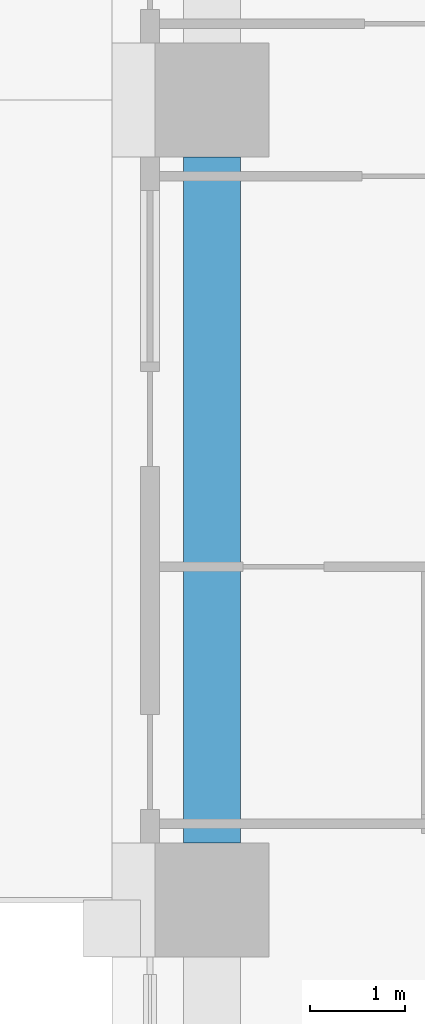
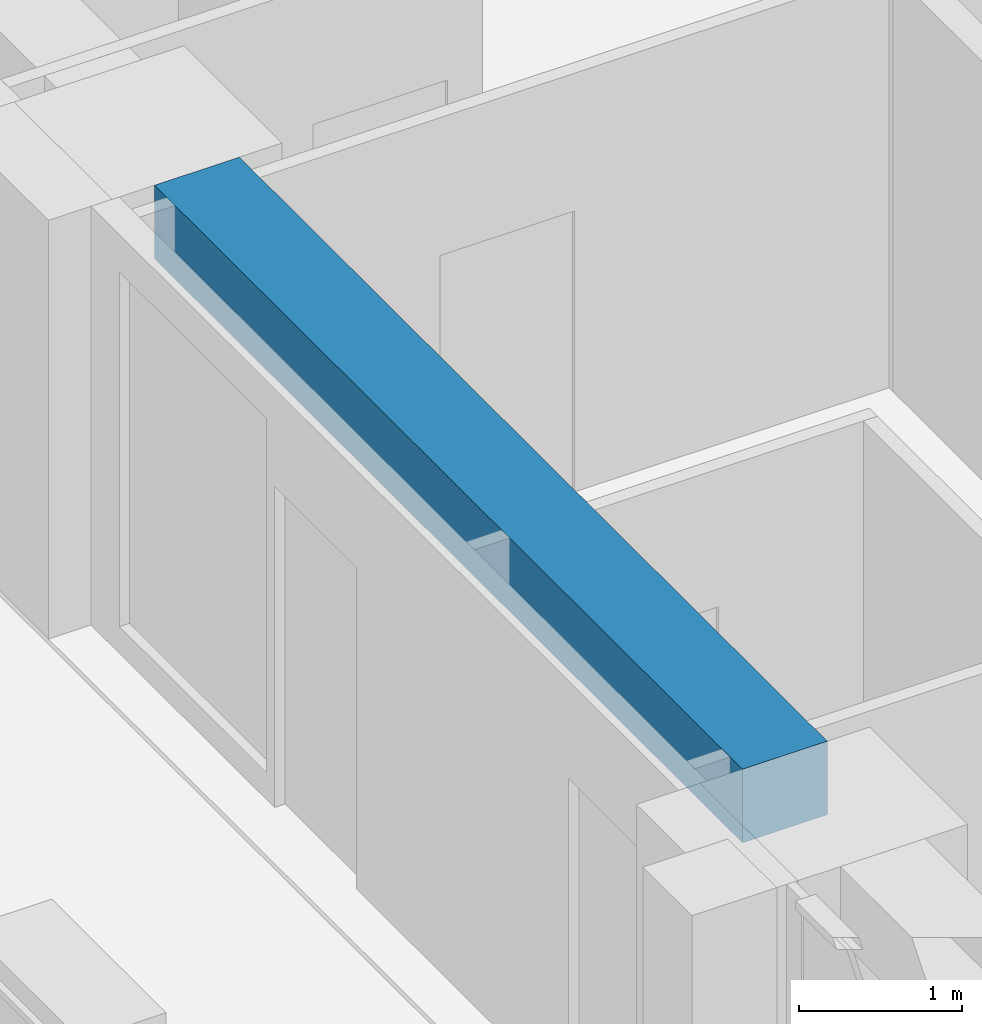
# One storey, part 3 of 17: 1 beam.
"""IFC4 building model written with IfcOpenShell, lengths in metres."""

from ifc_helpers import new_model, si_unit, direction, frame, origin, origin_2d, place, context, subcontext, project, spatial, rectangle, extrude, material, material_profile, profile_set, type_object, element, save


model = new_model("IFC4")

# Units and contexts
model_context = context("Model", 3, precision=1e-05, world=origin(), true_north=direction((0.0, 1.0)))
body_context = subcontext(model_context, "Body", "Model", "MODEL_VIEW")
ifc_project = project(units=[si_unit("LENGTHUNIT", "METRE"), si_unit("AREAUNIT", "SQUARE_METRE"), si_unit("VOLUMEUNIT", "CUBIC_METRE"), si_unit("PLANEANGLEUNIT", "RADIAN"), si_unit("MASSUNIT", "GRAM", prefix="KILO")], contexts=[model_context])

# Site, building, storey
site_placement = place(None, origin())
site = spatial("IfcSite", under=ifc_project, at=site_placement, CompositionType="ELEMENT")
building_placement = place(site_placement, origin())
building = spatial("IfcBuilding", under=site, at=building_placement, Name="Vermilion Ogive Tower", CompositionType="ELEMENT")
storey_placement = place(building_placement, frame((0.0, 0.0, 97.64990234375)))
storey = spatial("IfcBuildingStorey", under=building, at=storey_placement, Name="L24", CompositionType="ELEMENT", Elevation=97.64990234375)

# Beam
ifc_material = material(Name="Concrete B45", Category="concrete")
ifc_material_profile = material_profile(ifc_material, rectangle(XDim=0.60009765625, YDim=0.550048828125, at=origin_2d()), Name="600 x 550")
ifc_profile_set = profile_set([ifc_material_profile], Name="Concrete B45")
beam_type = type_object("IfcBeamType", Name="Edge beam 600 x 550 B45", PredefinedType="BEAM", material=ifc_profile_set)
beam_placement = place(storey_placement, frame((-25.199951171875, 3.60009765625, 2.85498046875), z_axis=(0.0, -1.0, 0.0), x_axis=(1.0, 0.0, 0.0)))
element("IfcBeam", 1, at=beam_placement, inside=storey, type_object=beam_type, Name="L24-EB-15", PredefinedType="BEAM", context=body_context, shape_type="SweptSolid", body=[
    extrude(rectangle(XDim=0.60009765625, YDim=0.550048828125, at=origin_2d()), origin(), (0.0, 0.0, 1.0), 7.2001953125),
])

save(model, "model.ifc")
